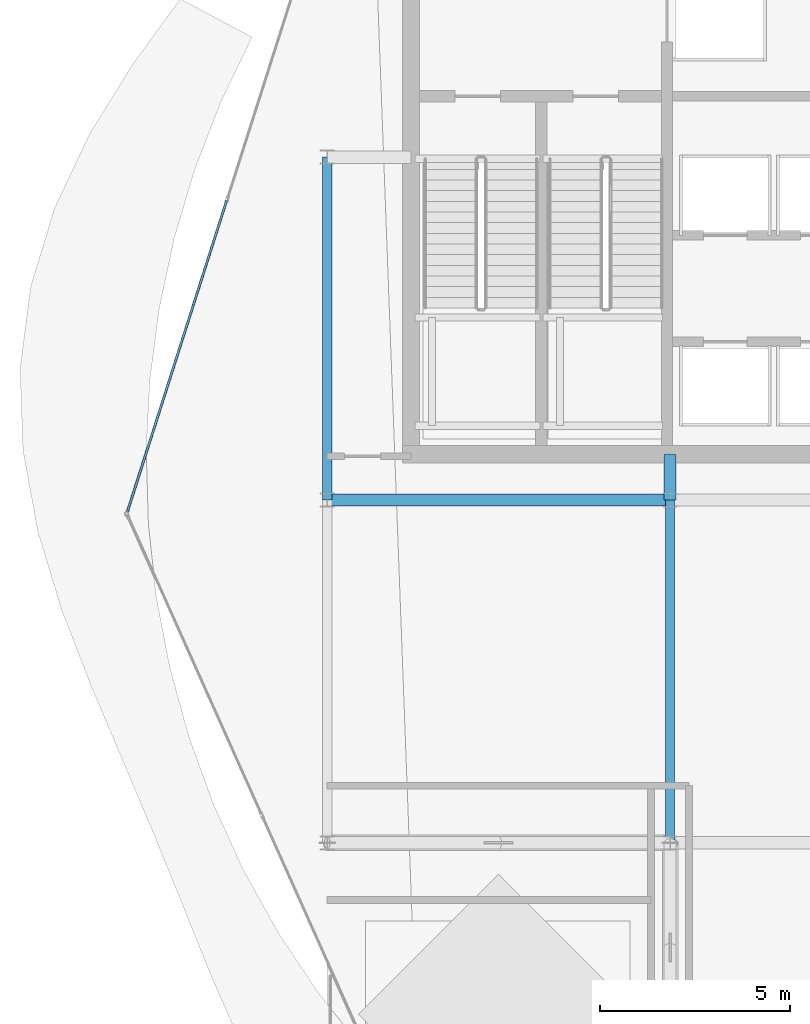
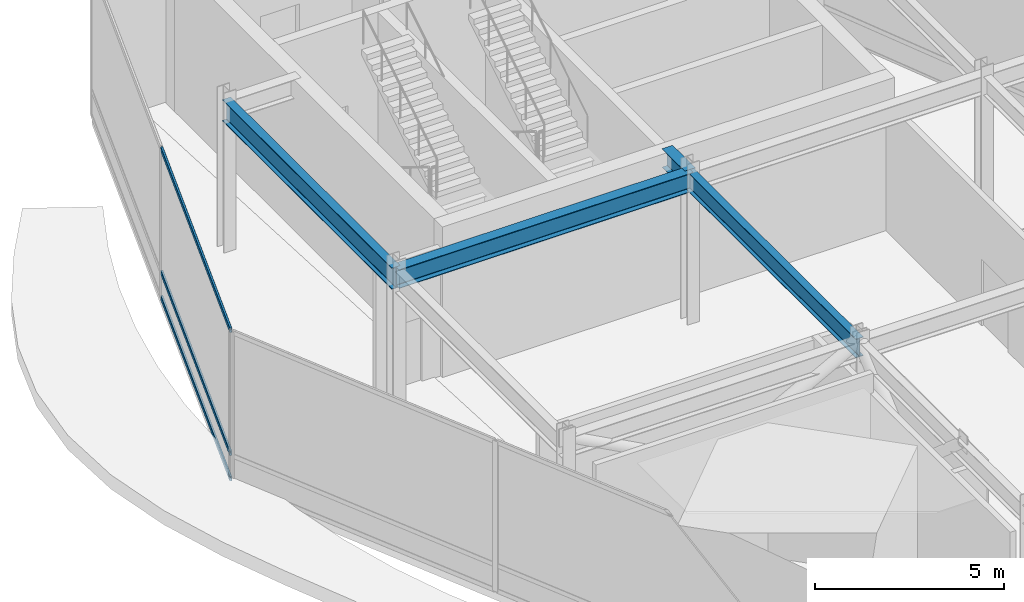
# One storey, part 7 of 21: 4 beams, 3 members, 1 element without a shape of its own.
"""IFC4 building model written with IfcOpenShell, lengths in metres."""

from ifc_helpers import new_model, si_unit, direction, frame, origin, origin_2d, place, context, subcontext, project, spatial, hollow_rectangle, i_section, extrude, material, layer, layer_set, material_profile, profile_set, type_object, element, aggregate, save


model = new_model("IFC4")

# Units and contexts
model_context = context("Model", 3, precision=1e-05, world=origin(), true_north=direction((0.0, 1.0)))
body_context = subcontext(model_context, "Body", "Model", "MODEL_VIEW")
ifc_project = project(units=[si_unit("LENGTHUNIT", "METRE"), si_unit("AREAUNIT", "SQUARE_METRE"), si_unit("VOLUMEUNIT", "CUBIC_METRE"), si_unit("PLANEANGLEUNIT", "RADIAN"), si_unit("MASSUNIT", "GRAM", prefix="KILO")], contexts=[model_context])

# Site, building, storey
site_placement = place(None, origin())
site = spatial("IfcSite", under=ifc_project, at=site_placement, CompositionType="ELEMENT")
building_placement = place(site_placement, origin())
building = spatial("IfcBuilding", under=site, at=building_placement, Name="Solvaryn Broadcast Tower", CompositionType="ELEMENT")
storey_placement = place(building_placement, frame((0.0, 0.0, 297.39990234375)))
storey = spatial("IfcBuildingStorey", under=building, at=storey_placement, Name="L75", CompositionType="ELEMENT", Elevation=297.39990234375)

# Beams
ifc_material_1 = material(Name="Steel ASTM A992 Grade 50", Category="steel")
ifc_material_profile_1 = material_profile(ifc_material_1, i_section(OverallWidth=0.323974609375, OverallDepth=0.611083984375, WebThickness=0.0126953125, FlangeThickness=0.01904296875, FilletRadius=0.014892578125, at=origin_2d()))
ifc_profile_set_1 = profile_set([ifc_material_profile_1], Name="Steel ASTM A992 Grade 50")
beam_type_1 = type_object("IfcBeamType", Name="BM-B1-W24X104", PredefinedType="BEAM", material=ifc_profile_set_1)
beam_1_placement = place(storey_placement, frame((9.0, 27.0, 4.564697265625), z_axis=(1.0, 0.0, 0.0), x_axis=(0.0, 1.0, 0.0)))
element("IfcBeam", 1, at=beam_1_placement, inside=storey, type_object=beam_type_1, Name="L75 Primary Beam X (9-18 @ Y=27)", PredefinedType="BEAM", context=body_context, shape_type="SweptSolid", body=[
    extrude(i_section(OverallWidth=0.323974609375, OverallDepth=0.611083984375, WebThickness=0.0126953125, FlangeThickness=0.01904296875, FilletRadius=0.014892578125, at=origin_2d()), origin(), (0.0, 0.0, 1.0), 9.0),
])
beam_2_placement = place(storey_placement, frame((18.0, 27.0, 4.564697265625), z_axis=(0.0, 1.0, 0.0), x_axis=(-1.0, 0.0, 0.0)))
element("IfcBeam", 2, at=beam_2_placement, inside=storey, type_object=beam_type_1, Name="L75 Core Tie Beam CTW4", PredefinedType="BEAM", context=body_context, shape_type="SweptSolid", body=[
    extrude(i_section(OverallWidth=0.323974609375, OverallDepth=0.611083984375, WebThickness=0.0126953125, FlangeThickness=0.01904296875, FilletRadius=0.014892578125, at=origin_2d()), origin(), (0.0, 0.0, 1.0), 1.199951171875),
])
ifc_material_2 = material(Name="Steel ASTM A992 Grade 50", Category="steel")
ifc_material_profile_2 = material_profile(ifc_material_2, i_section(OverallWidth=0.22802734375, OverallDepth=0.60791015625, WebThickness=0.01123046875, FlangeThickness=0.017333984375, FilletRadius=0.014892578125, at=origin_2d()))
ifc_profile_set_2 = profile_set([ifc_material_profile_2], Name="Steel ASTM A992 Grade 50")
beam_type_2 = type_object("IfcBeamType", Name="BM-B2-W24X76", PredefinedType="BEAM", material=ifc_profile_set_2)
beam_3_placement = place(storey_placement, frame((18.0, 18.0, 4.566162109375), z_axis=(0.0, 1.0, 0.0), x_axis=(-1.0, 0.0, 0.0)))
element("IfcBeam", 3, at=beam_3_placement, inside=storey, type_object=beam_type_2, Name="L75 Primary Beam Y (18-27 @ X=18)", PredefinedType="BEAM", context=body_context, shape_type="SweptSolid", body=[
    extrude(i_section(OverallWidth=0.22802734375, OverallDepth=0.60791015625, WebThickness=0.01123046875, FlangeThickness=0.017333984375, FilletRadius=0.014892578125, at=origin_2d()), origin(), (0.0, 0.0, 1.0), 9.0),
])
ifc_material_3 = material(Name="Steel ASTM A992 Grade 50", Category="steel")
ifc_material_profile_3 = material_profile(ifc_material_3, i_section(OverallWidth=0.256103515625, OverallDepth=0.693115234375, WebThickness=0.014404296875, FlangeThickness=0.023681640625, FilletRadius=0.01611328125, at=origin_2d()))
ifc_profile_set_3 = profile_set([ifc_material_profile_3], Name="Steel ASTM A992 Grade 50")
beam_type_3 = type_object("IfcBeamType", Name="BM-SP3-W27X114", PredefinedType="USERDEFINED", material=ifc_profile_set_3)
beam_4_placement = place(storey_placement, frame((9.0, 27.0, 4.523681640625), z_axis=(0.0, 1.0, 0.0), x_axis=(-1.0, 0.0, 0.0)))
element("IfcBeam", 4, at=beam_4_placement, inside=storey, type_object=beam_type_3, Name="L75 Spandrel Beam Y (27-36 @ X=9)", ObjectType="SPANDREL", PredefinedType="USERDEFINED", context=body_context, shape_type="SweptSolid", body=[
    extrude(i_section(OverallWidth=0.256103515625, OverallDepth=0.693115234375, WebThickness=0.014404296875, FlangeThickness=0.023681640625, FilletRadius=0.01611328125, at=origin_2d()), origin(), (0.0, 0.0, 1.0), 9.0),
])

# Curtain wall, members
ifc_material_4 = material(Name="Aluminium and Terracotta Unitised Curtain Wall", Category="masonry")
ifc_layer = layer(ifc_material_4, 0.260009765625)
ifc_layer_set = layer_set([ifc_layer], Name="CW-SYS5-DAMPER")
curtain_wall_type = type_object("IfcCurtainWallType", Name="CW-SYS5-DAMPER", PredefinedType="NOTDEFINED", material=ifc_layer_set)
curtain_wall_placement = place(storey_placement, origin())
curtain_wall = element("IfcCurtainWall", 5, at=curtain_wall_placement, inside=storey, type_object=curtain_wall_type, Name="L75 Curtain Wall DR1", PredefinedType="NOTDEFINED")
ifc_material_5 = material(Name="Anodised Aluminium 6063-T6", Category="aluminium")
ifc_material_profile_4 = material_profile(ifc_material_5, hollow_rectangle(XDim=0.06494140625, YDim=0.14990234375, WallThickness=0.00390625, InnerFilletRadius=0.00390625, OuterFilletRadius=0.008056640625, at=origin_2d()))
ifc_profile_set_4 = profile_set([ifc_material_profile_4], Name="Anodised Aluminium 6063-T6")
member_type = type_object("IfcMemberType", Name="CW-TRN-150", PredefinedType="USERDEFINED", material=ifc_profile_set_4)
member_1_placement = place(storey_placement, frame((6.35986328125, 34.864013671875, 0.030029296875), z_axis=(-0.303619603822, -0.952793333402, 0.0), x_axis=(0.952793333402, -0.303619603822, 0.0)))
member_1 = element("IfcMember", 6, at=member_1_placement, type_object=member_type, Name="CWS5 transom 2.1", ObjectType="TRANSOM", PredefinedType="USERDEFINED", context=body_context, shape_type="SweptSolid", body=[
    extrude(hollow_rectangle(XDim=0.06494140625, YDim=0.14990234375, WallThickness=0.00390625, InnerFilletRadius=0.00390625, OuterFilletRadius=0.008056640625, at=origin_2d()), origin(), (0.0, 0.0, 1.0), 8.57568359375),
])
member_2_placement = place(storey_placement, frame((6.35986328125, 34.864013671875, 0.85009765625), z_axis=(-0.303619603822, -0.952793333402, 0.0), x_axis=(0.952793333402, -0.303619603822, 0.0)))
member_2 = element("IfcMember", 7, at=member_2_placement, type_object=member_type, Name="CWS5 transom 2.2", ObjectType="TRANSOM", PredefinedType="USERDEFINED", context=body_context, shape_type="SweptSolid", body=[
    extrude(hollow_rectangle(XDim=0.06494140625, YDim=0.14990234375, WallThickness=0.00390625, InnerFilletRadius=0.00390625, OuterFilletRadius=0.008056640625, at=origin_2d()), origin(), (0.0, 0.0, 1.0), 8.57568359375),
])
member_3_placement = place(storey_placement, frame((6.35986328125, 34.864013671875, 4.840087890625), z_axis=(-0.303619603822, -0.952793333402, 0.0), x_axis=(0.952793333402, -0.303619603822, 0.0)))
member_3 = element("IfcMember", 8, at=member_3_placement, type_object=member_type, Name="CWS5 transom 2.3", ObjectType="TRANSOM", PredefinedType="USERDEFINED", context=body_context, shape_type="SweptSolid", body=[
    extrude(hollow_rectangle(XDim=0.06494140625, YDim=0.14990234375, WallThickness=0.00390625, InnerFilletRadius=0.00390625, OuterFilletRadius=0.008056640625, at=origin_2d()), origin(), (0.0, 0.0, 1.0), 8.57568359375),
])
aggregate(curtain_wall, [member_1, member_2, member_3])

save(model, "model.ifc")
